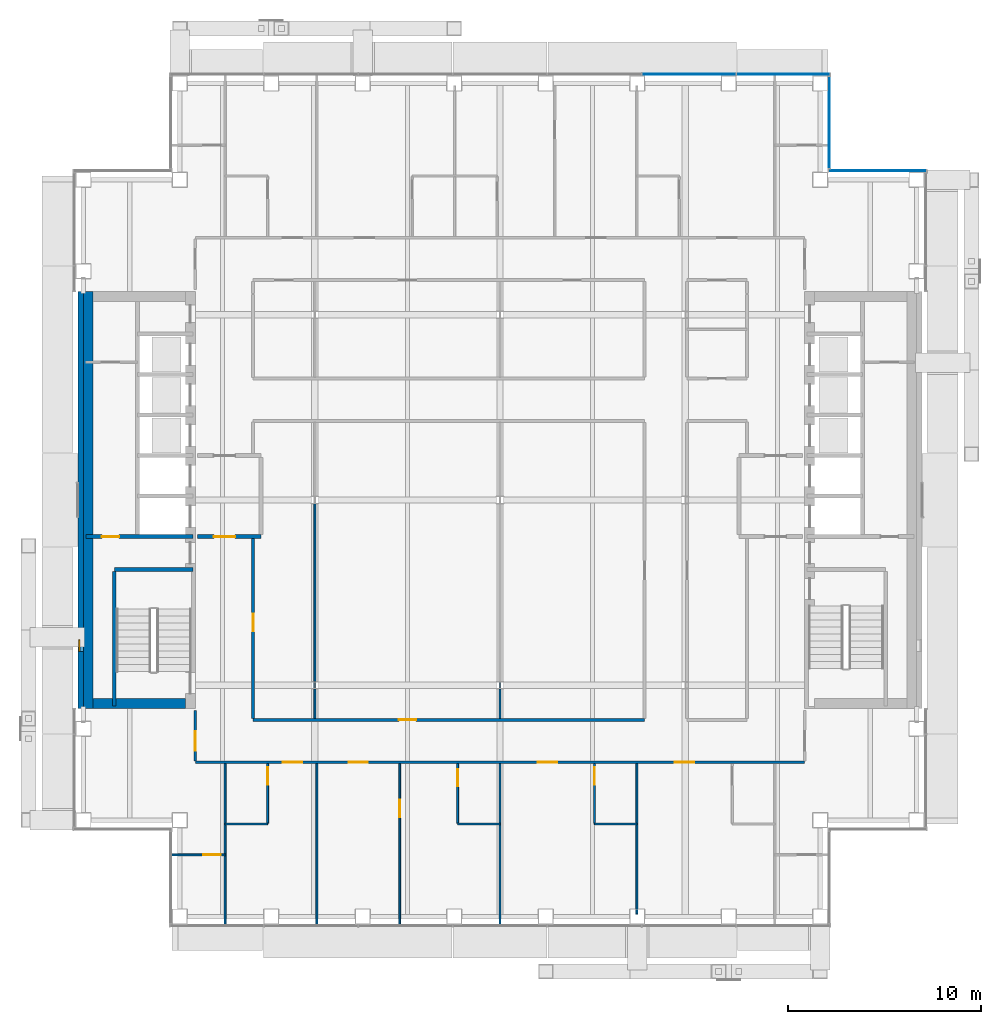
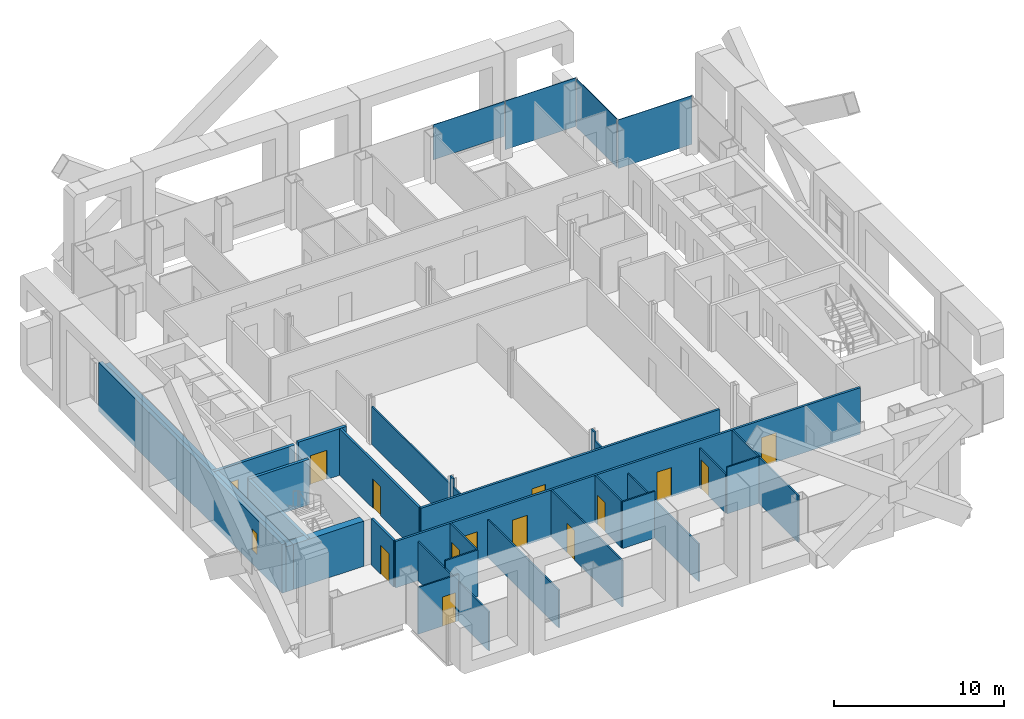
# One storey, part 12 of 22: 28 walls, 14 doors, 4 plates, 1 window, 15 openings, 3 elements without a shape of their own.
"""IFC4 building model written with IfcOpenShell, lengths in metres."""

from ifc_helpers import new_model, si_unit, direction, frame, frame_2d, origin, origin_2d, place, context, subcontext, project, spatial, rectangle, extrude, material, layer, layer_set, type_object, element, fill, aggregate, save


model = new_model("IFC4")

# Units and contexts
model_context = context("Model", 3, precision=1e-05, world=origin(), true_north=direction((0.0, 1.0)))
body_context = subcontext(model_context, "Body", "Model", "MODEL_VIEW")
ifc_project = project(units=[si_unit("LENGTHUNIT", "METRE"), si_unit("AREAUNIT", "SQUARE_METRE"), si_unit("VOLUMEUNIT", "CUBIC_METRE"), si_unit("PLANEANGLEUNIT", "RADIAN"), si_unit("MASSUNIT", "GRAM", prefix="KILO")], contexts=[model_context])

# Site, building, storey
site_placement = place(None, origin())
site = spatial("IfcSite", under=ifc_project, at=site_placement, CompositionType="ELEMENT")
building_placement = place(site_placement, origin())
building = spatial("IfcBuilding", under=site, at=building_placement, Name="Cobrizo Arcos Hotel Tower", CompositionType="ELEMENT")
storey_placement = place(building_placement, frame((0.0, 0.0, 176.0)))
storey = spatial("IfcBuildingStorey", under=building, at=storey_placement, Name="L45", CompositionType="ELEMENT", Elevation=176.0)

# Curtain wall, plate
ifc_material_1 = material(Name="Aluminium 6063-T6 anodised bronze", Category="aluminium")
curtain_wall_type = type_object("IfcCurtainWallType", Name="CW-A guest facade", PredefinedType="NOTDEFINED", material=ifc_material_1)
curtain_wall_1_placement = place(storey_placement, origin())
curtain_wall_1 = element("IfcCurtainWall", 1, at=curtain_wall_1_placement, inside=storey, type_object=curtain_wall_type, Name="CW-A L45 N face", PredefinedType="NOTDEFINED")
ifc_material_2 = material(Name="Glass clear laminated low-e", Category="glass")
ifc_layer_1 = layer(ifc_material_2, 0.0400390625)
ifc_layer_set_1 = layer_set([ifc_layer_1], Name="CW-A glass panel")
plate_type_1 = type_object("IfcPlateType", Name="CW-A glass panel", PredefinedType="CURTAIN_PANEL", material=ifc_layer_set_1)
plate_1_placement = place(storey_placement, frame((9.800048828125, 22.074951171875, 0.990234375), z_axis=(0.0, 0.0, 1.0), x_axis=(-1.0, 0.0, 0.0)))
plate_1 = element("IfcPlate", 2, at=plate_1_placement, type_object=plate_type_1, Name="CW-A glass panel 1592", PredefinedType="CURTAIN_PANEL", context=body_context, shape_type="SweptSolid", body=[
    extrude(rectangle(XDim=4.840087890625, YDim=0.0400390625, at=origin_2d()), origin(), (0.0, 0.0, 1.0), 2.510009765625),
])

curtain_wall_2_placement = place(storey_placement, origin())
curtain_wall_2 = element("IfcCurtainWall", 3, at=curtain_wall_2_placement, inside=storey, type_object=curtain_wall_type, Name="CW-A L45 N face", PredefinedType="NOTDEFINED")
ifc_material_3 = material(Name="Aluminium composite panel pale metal", Category="aluminium")
ifc_layer_2 = layer(ifc_material_3, 0.0400390625)
ifc_layer_set_2 = layer_set([ifc_layer_2], Name="CW-A spandrel panel")
plate_type_2 = type_object("IfcPlateType", Name="CW-A spandrel panel", PredefinedType="CURTAIN_PANEL", material=ifc_layer_set_2)
plate_2_placement = place(storey_placement, frame((19.574951171875, 17.074951171875, 0.0), z_axis=(0.0, 0.0, 1.0), x_axis=(-1.0, 0.0, 0.0)))
plate_2 = element("IfcPlate", 4, at=plate_2_placement, type_object=plate_type_2, Name="CW-A spandrel panel 1589", PredefinedType="CURTAIN_PANEL", context=body_context, shape_type="SweptSolid", body=[
    extrude(rectangle(XDim=5.030029296875, YDim=0.0400390625, at=origin_2d()), origin(), (0.0, 0.0, 1.0), 3.5),
])
aggregate(curtain_wall_2, [plate_2])

curtain_wall_3_placement = place(storey_placement, origin())
curtain_wall_3 = element("IfcCurtainWall", 5, at=curtain_wall_3_placement, inside=storey, type_object=curtain_wall_type, Name="CW-A L45 E face", PredefinedType="NOTDEFINED")
plate_3_placement = place(storey_placement, frame((17.074951171875, 19.574951171875, 0.0), z_axis=(0.0, 0.0, 1.0), x_axis=(0.0, 1.0, 0.0)))
plate_3 = element("IfcPlate", 6, at=plate_3_placement, type_object=plate_type_2, Name="CW-A spandrel panel 1590", PredefinedType="CURTAIN_PANEL", context=body_context, shape_type="SweptSolid", body=[
    extrude(rectangle(XDim=4.72998046875, YDim=0.0400390625, at=origin_2d()), origin(), (0.0, 0.0, 1.0), 3.5),
])
aggregate(curtain_wall_3, [plate_3])

# Plate
plate_4_placement = place(storey_placement, frame((14.68505859375, 22.074951171875, 0.0), z_axis=(0.0, 0.0, 1.0), x_axis=(-1.0, 0.0, 0.0)))
plate_4 = element("IfcPlate", 7, at=plate_4_placement, type_object=plate_type_2, Name="CW-A spandrel panel 1591", PredefinedType="CURTAIN_PANEL", context=body_context, shape_type="SweptSolid", body=[
    extrude(rectangle(XDim=4.81005859375, YDim=0.0400390625, at=origin_2d()), origin(), (0.0, 0.0, 1.0), 3.5),
])

aggregate(curtain_wall_1, [plate_4, plate_1])

# Wall, openings, doors
ifc_material_4 = material(Name="Gypsum board partition")
ifc_layer_3 = layer(ifc_material_4, 0.14990234375)
ifc_layer_set_3 = layer_set([ifc_layer_3], Name="Corridor wall EI 60 150")
wall_type_1 = type_object("IfcWallType", Name="Corridor wall EI 60 150", PredefinedType="PARTITIONING", material=ifc_layer_set_3)
wall_1_placement = place(storey_placement, frame((-15.800048828125, -13.60009765625, 0.0), z_axis=(0.0, 0.0, 1.0), x_axis=(1.0, 0.0, 0.0)))
wall_1 = element("IfcWall", 8, at=wall_1_placement, inside=storey, type_object=wall_type_1, Name="Partition 007", PredefinedType="PARTITIONING", context=body_context, shape_type="SweptSolid", body=[
    extrude(rectangle(XDim=31.60009765625, YDim=0.14990234375, at=frame_2d((15.800048828125, 0.0))), origin(), (0.0, 0.0, 1.0), 3.35009765625),
])
opening_1_placement = place(wall_1_placement, frame((4.54296875, 0.0, 0.0)))
opening_1 = element("IfcOpeningElement", 9, at=opening_1_placement, cuts=wall_1, Name="Opening GD-05", PredefinedType="OPENING", context=body_context, shape_type="SweptSolid", body=[
    extrude(rectangle(XDim=1.0, YDim=2.10009765625, at=frame_2d((0.5, 1.050048828125))), frame((0.0, 0.0869140625, 0.0), z_axis=(0.0, -1.0, 0.0), x_axis=(1.0, 0.0, 0.0)), (0.0, 0.0, 1.0), 0.173828125),
])
opening_2_placement = place(wall_1_placement, frame((7.948974609375, 0.0, 0.0)))
opening_2 = element("IfcOpeningElement", 10, at=opening_2_placement, cuts=wall_1, Name="Opening GD-06", PredefinedType="OPENING", context=body_context, shape_type="SweptSolid", body=[
    extrude(rectangle(XDim=1.0, YDim=2.10009765625, at=frame_2d((0.5, 1.050048828125))), frame((0.0, 0.0869140625, 0.0), z_axis=(0.0, -1.0, 0.0), x_axis=(1.0, 0.0, 0.0)), (0.0, 0.0, 1.0), 0.173828125),
])
opening_3_placement = place(wall_1_placement, frame((17.757080078125, 0.0, 0.0)))
opening_3 = element("IfcOpeningElement", 11, at=opening_3_placement, cuts=wall_1, Name="Opening GD-07", PredefinedType="OPENING", context=body_context, shape_type="SweptSolid", body=[
    extrude(rectangle(XDim=1.0, YDim=2.10009765625, at=frame_2d((0.5, 1.050048828125))), frame((0.0, 0.0869140625, 0.0), z_axis=(0.0, -1.0, 0.0), x_axis=(1.0, 0.0, 0.0)), (0.0, 0.0, 1.0), 0.173828125),
])
opening_4_placement = place(wall_1_placement, frame((24.8720703125, 0.0, 0.0)))
opening_4 = element("IfcOpeningElement", 12, at=opening_4_placement, cuts=wall_1, Name="Opening GD-08", PredefinedType="OPENING", context=body_context, shape_type="SweptSolid", body=[
    extrude(rectangle(XDim=1.0, YDim=2.10009765625, at=frame_2d((0.5, 1.050048828125))), frame((0.0, 0.0869140625, 0.0), z_axis=(0.0, -1.0, 0.0), x_axis=(1.0, 0.0, 0.0)), (0.0, 0.0, 1.0), 0.173828125),
])
ifc_material_5 = material(Name="Timber door leaf", Category="wood")
door_type_1 = type_object("IfcDoorType", Name="Guest room door FD30S 1000x2100", OperationType="SINGLE_SWING_LEFT", PredefinedType="DOOR", material=ifc_material_5)
door_1_placement = place(opening_1_placement, origin())
door_1 = element("IfcDoor", 13, at=door_1_placement, inside=storey, type_object=door_type_1, Name="Door GD-05", OperationType="SINGLE_SWING_LEFT", OverallHeight=2.10009765625, OverallWidth=1.0, PredefinedType="DOOR", context=body_context, shape_type="SweptSolid", body=[
    extrude(rectangle(XDim=1.0, YDim=2.10009765625, at=frame_2d((0.5, 1.050048828125))), frame((0.0, 0.02490234375, 0.0), z_axis=(0.0, -1.0, 0.0), x_axis=(1.0, 0.0, 0.0)), (0.0, 0.0, 1.0), 0.050048828125),
])
fill(opening_1, door_1)
door_2_placement = place(opening_2_placement, origin())
door_2 = element("IfcDoor", 14, at=door_2_placement, inside=storey, type_object=door_type_1, Name="Door GD-06", OperationType="SINGLE_SWING_RIGHT", OverallHeight=2.10009765625, OverallWidth=1.0, PredefinedType="DOOR", context=body_context, shape_type="SweptSolid", body=[
    extrude(rectangle(XDim=1.0, YDim=2.10009765625, at=frame_2d((0.5, 1.050048828125))), frame((0.0, 0.02490234375, 0.0), z_axis=(0.0, -1.0, 0.0), x_axis=(1.0, 0.0, 0.0)), (0.0, 0.0, 1.0), 0.050048828125),
])
fill(opening_2, door_2)
door_3_placement = place(opening_3_placement, origin())
door_3 = element("IfcDoor", 15, at=door_3_placement, inside=storey, type_object=door_type_1, Name="Door GD-07", OperationType="SINGLE_SWING_RIGHT", OverallHeight=2.10009765625, OverallWidth=1.0, PredefinedType="DOOR", context=body_context, shape_type="SweptSolid", body=[
    extrude(rectangle(XDim=1.0, YDim=2.10009765625, at=frame_2d((0.5, 1.050048828125))), frame((0.0, 0.02490234375, 0.0), z_axis=(0.0, -1.0, 0.0), x_axis=(1.0, 0.0, 0.0)), (0.0, 0.0, 1.0), 0.050048828125),
])
fill(opening_3, door_3)
door_4_placement = place(opening_4_placement, origin())
door_4 = element("IfcDoor", 16, at=door_4_placement, inside=storey, type_object=door_type_1, Name="Door GD-08", OperationType="SINGLE_SWING_LEFT", OverallHeight=2.10009765625, OverallWidth=1.0, PredefinedType="DOOR", context=body_context, shape_type="SweptSolid", body=[
    extrude(rectangle(XDim=1.0, YDim=2.10009765625, at=frame_2d((0.5, 1.050048828125))), frame((0.0, 0.02490234375, 0.0), z_axis=(0.0, -1.0, 0.0), x_axis=(1.0, 0.0, 0.0)), (0.0, 0.0, 1.0), 0.050048828125),
])
fill(opening_4, door_4)

# Wall, opening, door
wall_2_placement = place(storey_placement, frame((-12.800048828125, -11.39990234375, 0.0), z_axis=(0.0, 0.0, 1.0), x_axis=(1.0, 0.0, 0.0)))
wall_2 = element("IfcWall", 17, at=wall_2_placement, inside=storey, type_object=wall_type_1, Name="Partition 008", PredefinedType="PARTITIONING", context=body_context, shape_type="SweptSolid", body=[
    extrude(rectangle(XDim=20.300048828125, YDim=0.14990234375, at=frame_2d((10.14990234375, 0.0))), origin(), (0.0, 0.0, 1.0), 3.35009765625),
])
opening_5_placement = place(wall_2_placement, frame((7.550048828125, 0.0, 0.0)))
opening_5 = element("IfcOpeningElement", 18, at=opening_5_placement, cuts=wall_2, Name="Opening RD-15", PredefinedType="OPENING", context=body_context, shape_type="SweptSolid", body=[
    extrude(rectangle(XDim=0.89990234375, YDim=2.10009765625, at=frame_2d((0.449951171875, 1.050048828125))), frame((0.0, 0.0869140625, 0.0), z_axis=(0.0, -1.0, 0.0), x_axis=(1.0, 0.0, 0.0)), (0.0, 0.0, 1.0), 0.173828125),
])
door_type_2 = type_object("IfcDoorType", Name="Room door FD30 900x2100", OperationType="SINGLE_SWING_LEFT", PredefinedType="DOOR", material=ifc_material_5)
door_5_placement = place(opening_5_placement, origin())
door_5 = element("IfcDoor", 19, at=door_5_placement, inside=storey, type_object=door_type_2, Name="Door RD-15", OperationType="SINGLE_SWING_LEFT", OverallHeight=2.10009765625, OverallWidth=0.89990234375, PredefinedType="DOOR", context=body_context, shape_type="SweptSolid", body=[
    extrude(rectangle(XDim=0.89990234375, YDim=2.10009765625, at=frame_2d((0.449951171875, 1.050048828125))), frame((0.0, 0.02490234375, 0.0), z_axis=(0.0, -1.0, 0.0), x_axis=(1.0, 0.0, 0.0)), (0.0, 0.0, 1.0), 0.050048828125),
])
fill(opening_5, door_5)

wall_3_placement = place(storey_placement, frame((-15.800048828125, -13.52490234375, 0.0), z_axis=(0.0, 0.0, 1.0), x_axis=(0.0, 1.0, 0.0)))
wall_3 = element("IfcWall", 20, at=wall_3_placement, inside=storey, type_object=wall_type_1, Name="Partition 046", PredefinedType="PARTITIONING", context=body_context, shape_type="SweptSolid", body=[
    extrude(rectangle(XDim=2.60498046875, YDim=0.14990234375, at=frame_2d((1.302490234375, 0.0))), origin(), (0.0, 0.0, 1.0), 3.35009765625),
])
opening_6_placement = place(wall_3_placement, frame((0.52490234375, 0.0, 0.0)))
opening_6 = element("IfcOpeningElement", 21, at=opening_6_placement, cuts=wall_3, Name="Opening GD-09", PredefinedType="OPENING", context=body_context, shape_type="SweptSolid", body=[
    extrude(rectangle(XDim=1.0, YDim=2.10009765625, at=frame_2d((0.5, 1.050048828125))), frame((0.0, 0.0869140625, 0.0), z_axis=(0.0, -1.0, 0.0), x_axis=(1.0, 0.0, 0.0)), (0.0, 0.0, 1.0), 0.173828125),
])
door_6_placement = place(opening_6_placement, origin())
door_6 = element("IfcDoor", 22, at=door_6_placement, inside=storey, type_object=door_type_1, Name="Door GD-09", OperationType="SINGLE_SWING_LEFT", OverallHeight=2.10009765625, OverallWidth=1.0, PredefinedType="DOOR", context=body_context, shape_type="SweptSolid", body=[
    extrude(rectangle(XDim=1.0, YDim=2.10009765625, at=frame_2d((0.5, 1.050048828125))), frame((0.0, 0.02490234375, 0.0), z_axis=(0.0, -1.0, 0.0), x_axis=(1.0, 0.0, 0.0)), (0.0, 0.0, 1.0), 0.050048828125),
])
fill(opening_6, door_6)

wall_4_placement = place(storey_placement, frame((-12.800048828125, -11.324951171875, 0.0), z_axis=(0.0, 0.0, 1.0), x_axis=(0.0, 1.0, 0.0)))
wall_4 = element("IfcWall", 23, at=wall_4_placement, inside=storey, type_object=wall_type_1, Name="Partition 050", PredefinedType="PARTITIONING", context=body_context, shape_type="SweptSolid", body=[
    extrude(rectangle(XDim=9.324951171875, YDim=0.14990234375, at=frame_2d((4.66259765625, 0.0))), origin(), (0.0, 0.0, 1.0), 3.35009765625),
])
opening_7_placement = place(wall_4_placement, frame((4.52490234375, 0.0, 0.0)))
opening_7 = element("IfcOpeningElement", 24, at=opening_7_placement, cuts=wall_4, Name="Opening RD-12", PredefinedType="OPENING", context=body_context, shape_type="SweptSolid", body=[
    extrude(rectangle(XDim=0.89990234375, YDim=2.10009765625, at=frame_2d((0.449951171875, 1.050048828125))), frame((0.0, 0.0869140625, 0.0), z_axis=(0.0, -1.0, 0.0), x_axis=(1.0, 0.0, 0.0)), (0.0, 0.0, 1.0), 0.173828125),
])
door_7_placement = place(opening_7_placement, origin())
door_7 = element("IfcDoor", 25, at=door_7_placement, inside=storey, type_object=door_type_2, Name="Door RD-12", OperationType="SINGLE_SWING_LEFT", OverallHeight=2.10009765625, OverallWidth=0.89990234375, PredefinedType="DOOR", context=body_context, shape_type="SweptSolid", body=[
    extrude(rectangle(XDim=0.89990234375, YDim=2.10009765625, at=frame_2d((0.449951171875, 1.050048828125))), frame((0.0, 0.02490234375, 0.0), z_axis=(0.0, -1.0, 0.0), x_axis=(1.0, 0.0, 0.0)), (0.0, 0.0, 1.0), 0.050048828125),
])
fill(opening_7, door_7)

# Wall, opening, window
ifc_layer_4 = layer(ifc_material_3, 0.27490234375)
ifc_layer_set_4 = layer_set([ifc_layer_4], Name="EW-1 insulated panel wall 275")
wall_type_2 = type_object("IfcWallType", Name="EW-1 insulated panel wall 275", PredefinedType="SOLIDWALL", material=ifc_layer_set_4)
wall_5_placement = place(storey_placement, frame((-21.737548828125, 10.800048828125, 0.0), z_axis=(0.0, 0.0, 1.0), x_axis=(0.0, -1.0, 0.0)))
wall_5 = element("IfcWall", 26, at=wall_5_placement, inside=storey, type_object=wall_type_2, Name="Core face wall L45 W", PredefinedType="SOLIDWALL", context=body_context, shape_type="SweptSolid", body=[
    extrude(rectangle(XDim=21.60009765625, YDim=0.27490234375, at=frame_2d((10.800048828125, 0.0))), origin(), (0.0, 0.0, 1.0), 3.5),
])
opening_8_placement = place(wall_5_placement, frame((18.050048828125, 0.0, 1.0)))
opening_8 = element("IfcOpeningElement", 27, at=opening_8_placement, cuts=wall_5, Name="Opening W-98", PredefinedType="OPENING", context=body_context, shape_type="SweptSolid", body=[
    extrude(rectangle(XDim=0.60009765625, YDim=1.5, at=frame_2d((0.300048828125, 0.75))), frame((0.0, 0.1494140625, 0.0), z_axis=(0.0, -1.0, 0.0), x_axis=(1.0, 0.0, 0.0)), (0.0, 0.0, 1.0), 0.298828125),
])
ifc_material_6 = material(Name="Aluminium 6063-T6 and clear laminated glass", Category="aluminium")
window_type = type_object("IfcWindowType", Name="W-C1 core stair slot window 600x1500", PartitioningType="SINGLE_PANEL", PredefinedType="WINDOW", material=ifc_material_6)
window_placement = place(opening_8_placement, origin())
window = element("IfcWindow", 28, at=window_placement, inside=storey, type_object=window_type, Name="Core face wall L45 W window W-98", OverallHeight=1.5, OverallWidth=0.60009765625, PartitioningType="SINGLE_PANEL", PredefinedType="WINDOW", context=body_context, shape_type="SweptSolid", body=[
    extrude(rectangle(XDim=0.60009765625, YDim=1.5, at=frame_2d((0.300048828125, 0.75))), frame((0.0, -0.04736328125, 0.0), z_axis=(0.0, -1.0, 0.0), x_axis=(1.0, 0.0, 0.0)), (0.0, 0.0, 1.0), 0.06005859375),
])
fill(opening_8, window)

# Wall, opening, door
ifc_layer_5 = layer(ifc_material_4, 0.10009765625)
ifc_layer_set_5 = layer_set([ifc_layer_5], Name="Partition EI 30 100")
wall_type_3 = type_object("IfcWallType", Name="Partition EI 30 100", PredefinedType="PARTITIONING", material=ifc_layer_set_5)
wall_6_placement = place(storey_placement, frame((-17.030029296875, -18.39990234375, 0.0), z_axis=(0.0, 0.0, 1.0), x_axis=(1.0, 0.0, 0.0)))
wall_6 = element("IfcWall", 29, at=wall_6_placement, inside=storey, type_object=wall_type_3, Name="Partition 001", PredefinedType="PARTITIONING", context=body_context, shape_type="SweptSolid", body=[
    extrude(rectangle(XDim=2.780029296875, YDim=0.10009765625, at=frame_2d((1.39013671875, 0.0))), origin(), (0.0, 0.0, 1.0), 3.35009765625),
])
opening_9_placement = place(wall_6_placement, frame((1.639892578125, 0.0, 0.0)))
opening_9 = element("IfcOpeningElement", 30, at=opening_9_placement, cuts=wall_6, Name="Opening ED-09", PredefinedType="OPENING", context=body_context, shape_type="SweptSolid", body=[
    extrude(rectangle(XDim=0.89990234375, YDim=2.10009765625, at=frame_2d((0.449951171875, 1.050048828125))), frame((0.0, 0.06201171875, 0.0), z_axis=(0.0, -1.0, 0.0), x_axis=(1.0, 0.0, 0.0)), (0.0, 0.0, 1.0), 0.1240234375),
])
door_type_3 = type_object("IfcDoorType", Name="En-suite door 900x2100", OperationType="SINGLE_SWING_LEFT", PredefinedType="DOOR", material=ifc_material_5)
door_8_placement = place(opening_9_placement, origin())
door_8 = element("IfcDoor", 31, at=door_8_placement, inside=storey, type_object=door_type_3, Name="Door ED-09", OperationType="SINGLE_SWING_LEFT", OverallHeight=2.10009765625, OverallWidth=0.89990234375, PredefinedType="DOOR", context=body_context, shape_type="SweptSolid", body=[
    extrude(rectangle(XDim=0.89990234375, YDim=2.10009765625, at=frame_2d((0.449951171875, 1.050048828125))), frame((0.0, 0.02490234375, 0.0), z_axis=(0.0, -1.0, 0.0), x_axis=(1.0, 0.0, 0.0)), (0.0, 0.0, 1.0), 0.050048828125),
])
fill(opening_9, door_8)

# Walls
for number, where, z_axis, x_axis, name in (
    (32, (-14.25, -16.800048828125, 0.0), (0.0, 0.0, 1.0), (1.0, 0.0, 0.0), "Partition 003"),
    (33, (-2.199951171875, -16.800048828125, 0.0), (0.0, 0.0, 1.0), (1.0, 0.0, 0.0), "Partition 004"),
):
    element("IfcWall", number, at=place(storey_placement, frame(where, z_axis=z_axis, x_axis=x_axis)), inside=storey, type_object=wall_type_3, Name=name, PredefinedType="PARTITIONING", context=body_context, shape_type="SweptSolid", body=[
        extrude(rectangle(XDim=2.199951171875, YDim=0.10009765625, at=frame_2d((1.10009765625, 0.0))), origin(), (0.0, 0.0, 1.0), 3.35009765625),
    ])
wall_7_placement = place(storey_placement, frame((4.89990234375, -16.800048828125, 0.0), z_axis=(0.0, 0.0, 1.0), x_axis=(1.0, 0.0, 0.0)))
element("IfcWall", 34, at=wall_7_placement, inside=storey, type_object=wall_type_3, Name="Partition 005", PredefinedType="PARTITIONING", context=body_context, shape_type="SweptSolid", body=[
    extrude(rectangle(XDim=2.2001953125, YDim=0.10009765625, at=frame_2d((1.10009765625, 0.0))), origin(), (0.0, 0.0, 1.0), 3.35009765625),
])
wall_8_placement = place(storey_placement, frame((-14.25, -22.030029296875, 0.0), z_axis=(0.0, 0.0, 1.0), x_axis=(0.0, 1.0, 0.0)))
element("IfcWall", 35, at=wall_8_placement, inside=storey, type_object=wall_type_3, Name="Partition 048", PredefinedType="PARTITIONING", context=body_context, shape_type="SweptSolid", body=[
    extrude(rectangle(XDim=8.35498046875, YDim=0.10009765625, at=frame_2d((4.177490234375, 0.0))), origin(), (0.0, 0.0, 1.0), 2.81689453125),
])

# Wall, opening, door
wall_9_placement = place(storey_placement, frame((-12.050048828125, -16.75, 0.0), z_axis=(0.0, 0.0, 1.0), x_axis=(0.0, 1.0, 0.0)))
wall_9 = element("IfcWall", 36, at=wall_9_placement, inside=storey, type_object=wall_type_3, Name="Partition 055", PredefinedType="PARTITIONING", context=body_context, shape_type="SweptSolid", body=[
    extrude(rectangle(XDim=3.074951171875, YDim=0.10009765625, at=frame_2d((1.53759765625, 0.0))), origin(), (0.0, 0.0, 1.0), 3.35009765625),
])
opening_10_placement = place(wall_9_placement, frame((1.99609375, 0.0, 0.0)))
opening_10 = element("IfcOpeningElement", 37, at=opening_10_placement, cuts=wall_9, Name="Opening ED-05", PredefinedType="OPENING", context=body_context, shape_type="SweptSolid", body=[
    extrude(rectangle(XDim=0.89990234375, YDim=2.10009765625, at=frame_2d((0.449951171875, 1.050048828125))), frame((0.0, 0.06201171875, 0.0), z_axis=(0.0, -1.0, 0.0), x_axis=(1.0, 0.0, 0.0)), (0.0, 0.0, 1.0), 0.1240234375),
])
door_9_placement = place(opening_10_placement, origin())
door_9 = element("IfcDoor", 38, at=door_9_placement, inside=storey, type_object=door_type_3, Name="Door ED-05", OperationType="SINGLE_SWING_RIGHT", OverallHeight=2.10009765625, OverallWidth=0.89990234375, PredefinedType="DOOR", context=body_context, shape_type="SweptSolid", body=[
    extrude(rectangle(XDim=0.89990234375, YDim=2.10009765625, at=frame_2d((0.449951171875, 1.050048828125))), frame((0.0, 0.02490234375, 0.0), z_axis=(0.0, -1.0, 0.0), x_axis=(1.0, 0.0, 0.0)), (0.0, 0.0, 1.0), 0.050048828125),
])
fill(opening_10, door_9)

# Walls
wall_10_placement = place(storey_placement, frame((-9.60009765625, -11.324951171875, 0.0), z_axis=(0.0, 0.0, 1.0), x_axis=(0.0, 1.0, 0.0)))
element("IfcWall", 39, at=wall_10_placement, inside=storey, type_object=wall_type_3, Name="Partition 057", PredefinedType="PARTITIONING", context=body_context, shape_type="SweptSolid", body=[
    extrude(rectangle(XDim=1.537841796875, YDim=0.10009765625, at=frame_2d((0.76904296875, 0.0))), origin(), (0.0, 0.0, 1.0), 2.72802734375),
])
wall_11_placement = place(storey_placement, frame((-9.60009765625, -9.787109375, 0.0), z_axis=(0.0, 0.0, 1.0), x_axis=(0.0, 1.0, 0.0)))
element("IfcWall", 40, at=wall_11_placement, inside=storey, type_object=wall_type_3, Name="Partition 058", PredefinedType="PARTITIONING", context=body_context, shape_type="SweptSolid", body=[
    extrude(rectangle(XDim=0.3740234375, YDim=0.10009765625, at=frame_2d((0.18701171875, 0.0))), origin(), (0.0, 0.0, 1.0), 3.35009765625),
])
wall_12_placement = place(storey_placement, frame((-9.60009765625, -9.4130859375, 0.0), z_axis=(0.0, 0.0, 1.0), x_axis=(0.0, 1.0, 0.0)))
element("IfcWall", 41, at=wall_12_placement, inside=storey, type_object=wall_type_3, Name="Partition 059", PredefinedType="PARTITIONING", context=body_context, shape_type="SweptSolid", body=[
    extrude(rectangle(XDim=9.22607421875, YDim=0.10009765625, at=frame_2d((4.613037109375, 0.0))), origin(), (0.0, 0.0, 1.0), 2.72802734375),
])
wall_13_placement = place(storey_placement, frame((-9.5, -22.030029296875, 0.0), z_axis=(0.0, 0.0, 1.0), x_axis=(0.0, 1.0, 0.0)))
element("IfcWall", 42, at=wall_13_placement, inside=storey, type_object=wall_type_3, Name="Partition 065", PredefinedType="PARTITIONING", context=body_context, shape_type="SweptSolid", body=[
    extrude(rectangle(XDim=8.35498046875, YDim=0.10009765625, at=frame_2d((4.177490234375, 0.0))), origin(), (0.0, 0.0, 1.0), 2.72802734375),
])

# Wall, opening, door
wall_14_placement = place(storey_placement, frame((-5.199951171875, -22.030029296875, 0.0), z_axis=(0.0, 0.0, 1.0), x_axis=(0.0, 1.0, 0.0)))
wall_14 = element("IfcWall", 43, at=wall_14_placement, inside=storey, type_object=wall_type_3, Name="Partition 067", PredefinedType="PARTITIONING", context=body_context, shape_type="SweptSolid", body=[
    extrude(rectangle(XDim=8.35498046875, YDim=0.10009765625, at=frame_2d((4.177490234375, 0.0))), origin(), (0.0, 0.0, 1.0), 3.35009765625),
])
opening_11_placement = place(wall_14_placement, frame((5.580078125, 0.0, 0.0)))
opening_11 = element("IfcOpeningElement", 44, at=opening_11_placement, cuts=wall_14, Name="Opening RD-08", PredefinedType="OPENING", context=body_context, shape_type="SweptSolid", body=[
    extrude(rectangle(XDim=0.89990234375, YDim=2.10009765625, at=frame_2d((0.449951171875, 1.050048828125))), frame((0.0, 0.06201171875, 0.0), z_axis=(0.0, -1.0, 0.0), x_axis=(1.0, 0.0, 0.0)), (0.0, 0.0, 1.0), 0.1240234375),
])
door_10_placement = place(opening_11_placement, origin())
door_10 = element("IfcDoor", 45, at=door_10_placement, inside=storey, type_object=door_type_2, Name="Door RD-08", OperationType="SINGLE_SWING_RIGHT", OverallHeight=2.10009765625, OverallWidth=0.89990234375, PredefinedType="DOOR", context=body_context, shape_type="SweptSolid", body=[
    extrude(rectangle(XDim=0.89990234375, YDim=2.10009765625, at=frame_2d((0.449951171875, 1.050048828125))), frame((0.0, 0.02490234375, 0.0), z_axis=(0.0, -1.0, 0.0), x_axis=(1.0, 0.0, 0.0)), (0.0, 0.0, 1.0), 0.050048828125),
])
fill(opening_11, door_10)

wall_15_placement = place(storey_placement, frame((-2.199951171875, -16.75, 0.0), z_axis=(0.0, 0.0, 1.0), x_axis=(0.0, 1.0, 0.0)))
wall_15 = element("IfcWall", 46, at=wall_15_placement, inside=storey, type_object=wall_type_3, Name="Partition 071", PredefinedType="PARTITIONING", context=body_context, shape_type="SweptSolid", body=[
    extrude(rectangle(XDim=3.074951171875, YDim=0.10009765625, at=frame_2d((1.53759765625, 0.0))), origin(), (0.0, 0.0, 1.0), 3.35009765625),
])
opening_12_placement = place(wall_15_placement, frame((1.89990234375, 0.0, 0.0)))
opening_12 = element("IfcOpeningElement", 47, at=opening_12_placement, cuts=wall_15, Name="Opening ED-06", PredefinedType="OPENING", context=body_context, shape_type="SweptSolid", body=[
    extrude(rectangle(XDim=0.89990234375, YDim=2.10009765625, at=frame_2d((0.449951171875, 1.050048828125))), frame((0.0, 0.06201171875, 0.0), z_axis=(0.0, -1.0, 0.0), x_axis=(1.0, 0.0, 0.0)), (0.0, 0.0, 1.0), 0.1240234375),
])
door_11_placement = place(opening_12_placement, origin())
door_11 = element("IfcDoor", 48, at=door_11_placement, inside=storey, type_object=door_type_3, Name="Door ED-06", OperationType="SINGLE_SWING_LEFT", OverallHeight=2.10009765625, OverallWidth=0.89990234375, PredefinedType="DOOR", context=body_context, shape_type="SweptSolid", body=[
    extrude(rectangle(XDim=0.89990234375, YDim=2.10009765625, at=frame_2d((0.449951171875, 1.050048828125))), frame((0.0, 0.02490234375, 0.0), z_axis=(0.0, -1.0, 0.0), x_axis=(1.0, 0.0, 0.0)), (0.0, 0.0, 1.0), 0.050048828125),
])
fill(opening_12, door_11)

# Walls
wall_16_placement = place(storey_placement, frame((0.0, -22.030029296875, 0.0), z_axis=(0.0, 0.0, 1.0), x_axis=(0.0, 1.0, 0.0)))
element("IfcWall", 49, at=wall_16_placement, inside=storey, type_object=wall_type_3, Name="Partition 073", PredefinedType="PARTITIONING", context=body_context, shape_type="SweptSolid", body=[
    extrude(rectangle(XDim=8.35498046875, YDim=0.10009765625, at=frame_2d((4.177490234375, 0.0))), origin(), (0.0, 0.0, 1.0), 2.72802734375),
])
wall_17_placement = place(storey_placement, frame((0.0, -11.324951171875, 0.0), z_axis=(0.0, 0.0, 1.0), x_axis=(0.0, 1.0, 0.0)))
element("IfcWall", 50, at=wall_17_placement, inside=storey, type_object=wall_type_3, Name="Partition 074", PredefinedType="PARTITIONING", context=body_context, shape_type="SweptSolid", body=[
    extrude(rectangle(XDim=1.537841796875, YDim=0.10009765625, at=frame_2d((0.76904296875, 0.0))), origin(), (0.0, 0.0, 1.0), 2.72802734375),
])
wall_18_placement = place(storey_placement, frame((0.0, -9.787109375, 0.0), z_axis=(0.0, 0.0, 1.0), x_axis=(0.0, 1.0, 0.0)))
element("IfcWall", 51, at=wall_18_placement, inside=storey, type_object=wall_type_3, Name="Partition 075", PredefinedType="PARTITIONING", context=body_context, shape_type="SweptSolid", body=[
    extrude(rectangle(XDim=0.3740234375, YDim=0.10009765625, at=frame_2d((0.18701171875, 0.0))), origin(), (0.0, 0.0, 1.0), 3.35009765625),
])

# Wall, opening, door
wall_19_placement = place(storey_placement, frame((4.89990234375, -16.75, 0.0), z_axis=(0.0, 0.0, 1.0), x_axis=(0.0, 1.0, 0.0)))
wall_19 = element("IfcWall", 52, at=wall_19_placement, inside=storey, type_object=wall_type_3, Name="Partition 083", PredefinedType="PARTITIONING", context=body_context, shape_type="SweptSolid", body=[
    extrude(rectangle(XDim=3.074951171875, YDim=0.10009765625, at=frame_2d((1.53759765625, 0.0))), origin(), (0.0, 0.0, 1.0), 2.81689453125),
])
opening_13_placement = place(wall_19_placement, frame((1.99609375, 0.0, 0.0)))
opening_13 = element("IfcOpeningElement", 53, at=opening_13_placement, cuts=wall_19, Name="Opening ED-07", PredefinedType="OPENING", context=body_context, shape_type="SweptSolid", body=[
    extrude(rectangle(XDim=0.89990234375, YDim=2.10009765625, at=frame_2d((0.449951171875, 1.050048828125))), frame((0.0, 0.06201171875, 0.0), z_axis=(0.0, -1.0, 0.0), x_axis=(1.0, 0.0, 0.0)), (0.0, 0.0, 1.0), 0.1240234375),
])
door_12_placement = place(opening_13_placement, origin())
door_12 = element("IfcDoor", 54, at=door_12_placement, inside=storey, type_object=door_type_3, Name="Door ED-07", OperationType="SINGLE_SWING_RIGHT", OverallHeight=2.10009765625, OverallWidth=0.89990234375, PredefinedType="DOOR", context=body_context, shape_type="SweptSolid", body=[
    extrude(rectangle(XDim=0.89990234375, YDim=2.10009765625, at=frame_2d((0.449951171875, 1.050048828125))), frame((0.0, 0.02490234375, 0.0), z_axis=(0.0, -1.0, 0.0), x_axis=(1.0, 0.0, 0.0)), (0.0, 0.0, 1.0), 0.050048828125),
])
fill(opening_13, door_12)

# Walls
wall_20_placement = place(storey_placement, frame((7.10009765625, -21.47998046875, 0.0), z_axis=(0.0, 0.0, 1.0), x_axis=(0.0, 1.0, 0.0)))
element("IfcWall", 55, at=wall_20_placement, inside=storey, type_object=wall_type_3, Name="Partition 084", PredefinedType="PARTITIONING", context=body_context, shape_type="SweptSolid", body=[
    extrude(rectangle(XDim=7.804931640625, YDim=0.10009765625, at=frame_2d((3.90234375, 0.0))), origin(), (0.0, 0.0, 1.0), 3.35009765625),
])
ifc_material_7 = material(Name="Concrete f'c 50 MPa", Category="concrete")
ifc_layer_6 = layer(ifc_material_7, 0.5)
ifc_layer_set_6 = layer_set([ifc_layer_6], Name="RC core wall 500 f'c 50")
wall_type_4 = type_object("IfcWallType", Name="RC core wall 500 f'c 50", PredefinedType="SHEAR", material=ifc_layer_set_6)
wall_21_placement = place(storey_placement, frame((-21.35009765625, -10.800048828125, 0.0), z_axis=(0.0, 0.0, 1.0), x_axis=(0.0, 1.0, 0.0)))
element("IfcWall", 56, at=wall_21_placement, inside=storey, type_object=wall_type_4, Name="Core wall CW3, west core, outer face, L45", PredefinedType="SHEAR", context=body_context, shape_type="SweptSolid", body=[
    extrude(rectangle(XDim=21.60009765625, YDim=0.5, at=frame_2d((10.800048828125, 0.0))), origin(), (0.0, 0.0, 1.0), 3.25),
])
wall_22_placement = place(storey_placement, frame((-21.10009765625, -10.550048828125, 0.0), z_axis=(0.0, 0.0, 1.0), x_axis=(1.0, 0.0, 0.0)))
element("IfcWall", 57, at=wall_22_placement, inside=storey, type_object=wall_type_4, Name="Core wall CW3, west core, south end, L45", PredefinedType="SHEAR", context=body_context, shape_type="SweptSolid", body=[
    extrude(rectangle(XDim=4.800048828125, YDim=0.5, at=frame_2d((2.39990234375, 0.0))), origin(), (0.0, 0.0, 1.0), 3.25),
])

# Wall, opening, door
ifc_layer_7 = layer(ifc_material_4, 0.199951171875)
ifc_layer_set_7 = layer_set([ifc_layer_7], Name="Shaft wall EI 120 200")
wall_type_5 = type_object("IfcWallType", Name="Shaft wall EI 120 200", PredefinedType="PARTITIONING", material=ifc_layer_set_7)
wall_23_placement = place(storey_placement, frame((-21.47998046875, -1.89990234375, 0.0), z_axis=(0.0, 0.0, 1.0), x_axis=(1.0, 0.0, 0.0)))
wall_23 = element("IfcWall", 58, at=wall_23_placement, inside=storey, type_object=wall_type_5, Name="Partition 012", PredefinedType="PARTITIONING", context=body_context, shape_type="SweptSolid", body=[
    extrude(rectangle(XDim=5.56005859375, YDim=0.199951171875, at=frame_2d((2.780029296875, 0.0))), origin(), (0.0, 0.0, 1.0), 3.25),
])
opening_14_placement = place(wall_23_placement, frame((0.830078125, 0.0, 0.0)))
opening_14 = element("IfcOpeningElement", 59, at=opening_14_placement, cuts=wall_23, Name="Opening RD-02", PredefinedType="OPENING", context=body_context, shape_type="SweptSolid", body=[
    extrude(rectangle(XDim=0.89990234375, YDim=2.10009765625, at=frame_2d((0.449951171875, 1.050048828125))), frame((0.0, 0.112060546875, 0.0), z_axis=(0.0, -1.0, 0.0), x_axis=(1.0, 0.0, 0.0)), (0.0, 0.0, 1.0), 0.223876953125),
])
door_13_placement = place(opening_14_placement, origin())
door_13 = element("IfcDoor", 60, at=door_13_placement, inside=storey, type_object=door_type_2, Name="Door RD-02", OperationType="SINGLE_SWING_RIGHT", OverallHeight=2.10009765625, OverallWidth=0.89990234375, PredefinedType="DOOR", context=body_context, shape_type="SweptSolid", body=[
    extrude(rectangle(XDim=0.89990234375, YDim=2.10009765625, at=frame_2d((0.449951171875, 1.050048828125))), frame((0.0, 0.02490234375, 0.0), z_axis=(0.0, -1.0, 0.0), x_axis=(1.0, 0.0, 0.0)), (0.0, 0.0, 1.0), 0.050048828125),
])
fill(opening_14, door_13)

wall_24_placement = place(storey_placement, frame((-15.679931640625, -1.89990234375, 0.0), z_axis=(0.0, 0.0, 1.0), x_axis=(1.0, 0.0, 0.0)))
wall_24 = element("IfcWall", 61, at=wall_24_placement, inside=storey, type_object=wall_type_5, Name="Partition 013", PredefinedType="PARTITIONING", context=body_context, shape_type="SweptSolid", body=[
    extrude(rectangle(XDim=3.280029296875, YDim=0.199951171875, at=frame_2d((1.64013671875, 0.0))), origin(), (0.0, 0.0, 1.0), 3.35009765625),
])
opening_15_placement = place(wall_24_placement, frame((0.840087890625, 0.0, 0.0)))
opening_15 = element("IfcOpeningElement", 62, at=opening_15_placement, cuts=wall_24, Name="Opening FD-03", PredefinedType="OPENING", context=body_context, shape_type="SweptSolid", body=[
    extrude(rectangle(XDim=1.10009765625, YDim=2.10009765625, at=frame_2d((0.550048828125, 1.050048828125))), frame((0.0, 0.112060546875, 0.0), z_axis=(0.0, -1.0, 0.0), x_axis=(1.0, 0.0, 0.0)), (0.0, 0.0, 1.0), 0.223876953125),
])
ifc_material_8 = material(Name="Steel door leaf", Category="steel")
door_type_4 = type_object("IfcDoorType", Name="Fire door FD60 1100x2100", OperationType="SINGLE_SWING_LEFT", PredefinedType="DOOR", material=ifc_material_8)
door_14_placement = place(opening_15_placement, origin())
door_14 = element("IfcDoor", 63, at=door_14_placement, inside=storey, type_object=door_type_4, Name="Door FD-03", OperationType="SINGLE_SWING_RIGHT", OverallHeight=2.10009765625, OverallWidth=1.10009765625, PredefinedType="DOOR", context=body_context, shape_type="SweptSolid", body=[
    extrude(rectangle(XDim=1.10009765625, YDim=2.10009765625, at=frame_2d((0.550048828125, 1.050048828125))), frame((0.0, 0.02490234375, 0.0), z_axis=(0.0, -1.0, 0.0), x_axis=(1.0, 0.0, 0.0)), (0.0, 0.0, 1.0), 0.050048828125),
])
fill(opening_15, door_14)

# Walls
ifc_material_9 = material(Name="Concrete f'c 40 MPa", Category="concrete")
ifc_layer_8 = layer(ifc_material_9, 0.199951171875)
ifc_layer_set_8 = layer_set([ifc_layer_8], Name="Stair shaft wall 200")
wall_type_6 = type_object("IfcWallType", Name="Stair shaft wall 200", PredefinedType="SHEAR", material=ifc_layer_set_8)
wall_25_placement = place(storey_placement, frame((-20.0, -3.60009765625, 0.0), z_axis=(0.0, 0.0, 1.0), x_axis=(1.0, 0.0, 0.0)))
element("IfcWall", 64, at=wall_25_placement, inside=storey, type_object=wall_type_6, Name="Stair shaft wall W", PredefinedType="SHEAR", context=body_context, shape_type="SweptSolid", body=[
    extrude(rectangle(XDim=4.080078125, YDim=0.199951171875, at=frame_2d((2.0400390625, 0.0))), origin(), (0.0, 0.0, 1.0), 3.25),
])
wall_26_placement = place(storey_placement, frame((-20.0, -10.679931640625, 0.0), z_axis=(0.0, 0.0, 1.0), x_axis=(0.0, 1.0, 0.0)))
element("IfcWall", 65, at=wall_26_placement, inside=storey, type_object=wall_type_6, Name="Stair shaft wall W", PredefinedType="SHEAR", context=body_context, shape_type="SweptSolid", body=[
    extrude(rectangle(XDim=6.97998046875, YDim=0.199951171875, at=frame_2d((3.489990234375, 0.0))), origin(), (0.0, 0.0, 1.0), 3.25),
])

save(model, "model.ifc")
